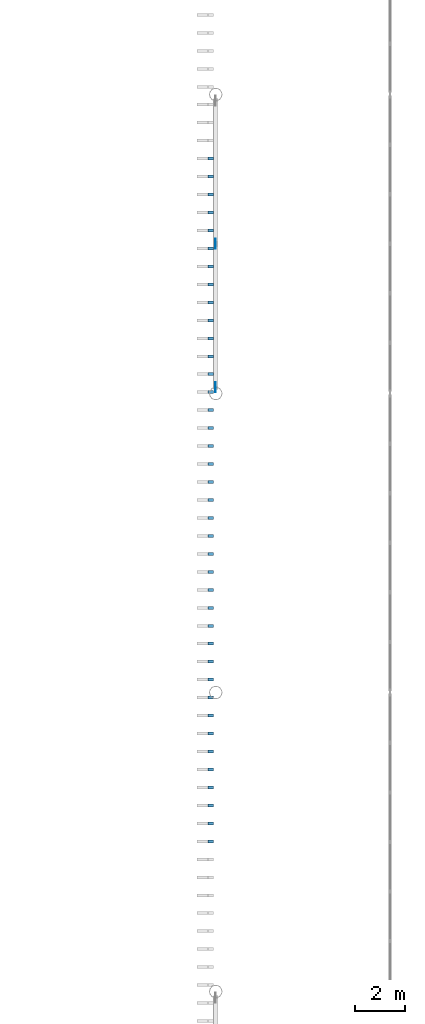
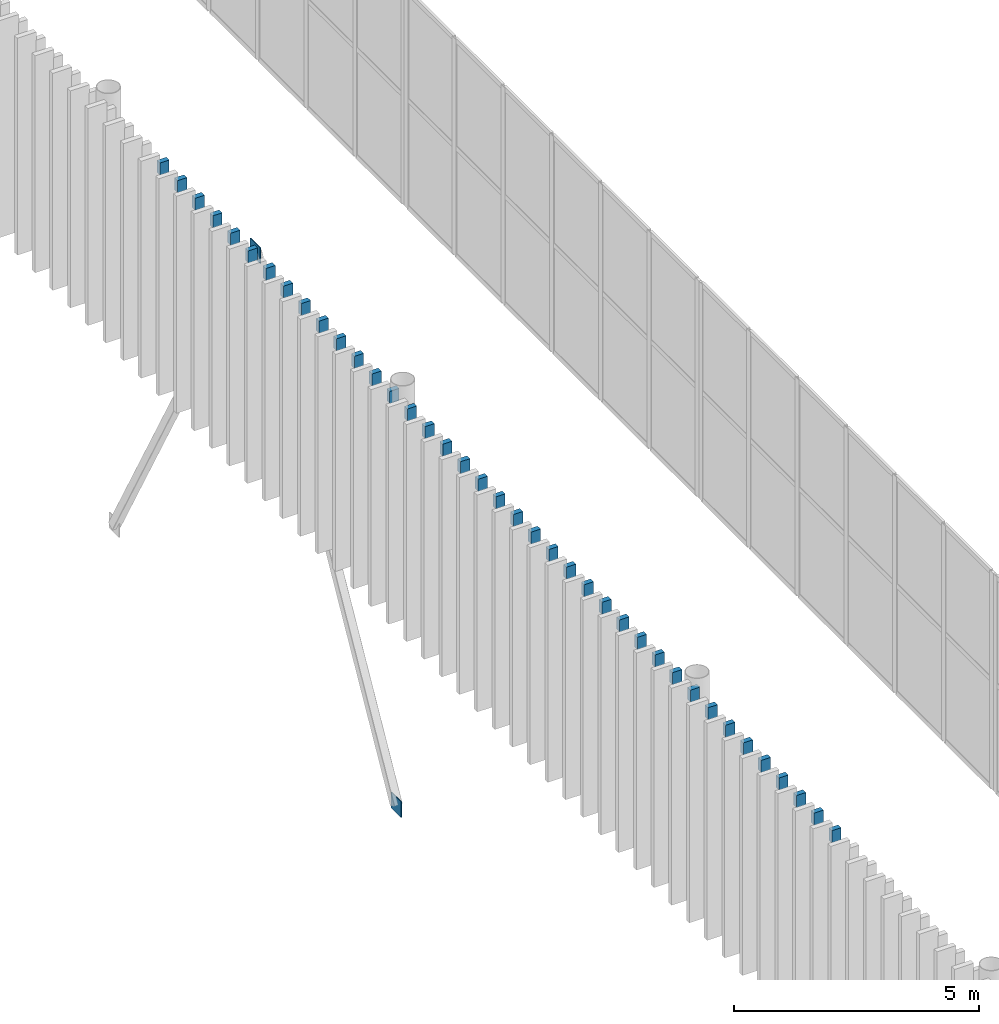
# One storey, part 128 of 170: 41 discrete accessories.
"""IFC4 building model written with IfcOpenShell, lengths in metres."""

from ifc_helpers import new_model, si_unit, direction, frame, origin, origin_2d, place, context, subcontext, project, spatial, rectangle, extrude, material, material_profile, profile_set, type_object, element, save


model = new_model("IFC4")

# Units and contexts
model_context = context("Model", 3, precision=1e-05, world=origin(), true_north=direction((0.0, 1.0)))
body_context = subcontext(model_context, "Body", "Model", "MODEL_VIEW")
ifc_project = project(units=[si_unit("LENGTHUNIT", "METRE"), si_unit("AREAUNIT", "SQUARE_METRE"), si_unit("VOLUMEUNIT", "CUBIC_METRE"), si_unit("PLANEANGLEUNIT", "RADIAN"), si_unit("MASSUNIT", "GRAM", prefix="KILO")], contexts=[model_context])

# Site, building, storey
site_placement = place(None, origin())
site = spatial("IfcSite", under=ifc_project, at=site_placement, CompositionType="ELEMENT")
building_placement = place(site_placement, origin())
building = spatial("IfcBuilding", under=site, at=building_placement, Name="Ravi Spectrum Wholesale Market", CompositionType="ELEMENT")
storey_placement = place(building_placement, frame((0.0, 0.0, 5.39990234375)))
storey = spatial("IfcBuildingStorey", under=building, at=storey_placement, Name="L01", CompositionType="ELEMENT", Elevation=5.39990234375)

# Discrete accessories
ifc_material_1 = material(Name="Steel S355", Category="steel")
discrete_accessory_type_1 = type_object("IfcDiscreteAccessoryType", Name="Fin bracket 120", PredefinedType="BRACKET", material=ifc_material_1)
for number, where, z_axis, x_axis, name in (
    (1, (29.800048828125, 75.4248046875, 4.89990234375), (0.0, 0.0, 1.0), (0.0, -1.0, 0.0), "Fin bracket B171"),
    (2, (29.800048828125, 74.703857421875, 4.89990234375), (0.0, 0.0, 1.0), (0.0, -1.0, 0.0), "Fin bracket B172"),
    (3, (29.800048828125, 73.98291015625, 4.89990234375), (0.0, 0.0, 1.0), (0.0, -1.0, 0.0), "Fin bracket B173"),
    (4, (29.800048828125, 73.26171875, 4.89990234375), (0.0, 0.0, 1.0), (0.0, -1.0, 0.0), "Fin bracket B174"),
    (5, (29.800048828125, 72.540771484375, 4.89990234375), (0.0, 0.0, 1.0), (0.0, -1.0, 0.0), "Fin bracket B175"),
    (6, (29.800048828125, 71.81982421875, 4.89990234375), (0.0, 0.0, 1.0), (0.0, -1.0, 0.0), "Fin bracket B176"),
    (7, (29.800048828125, 71.0986328125, 4.89990234375), (0.0, 0.0, 1.0), (0.0, -1.0, 0.0), "Fin bracket B177"),
    (8, (29.800048828125, 70.377685546875, 4.89990234375), (0.0, 0.0, 1.0), (0.0, -1.0, 0.0), "Fin bracket B178"),
    (9, (29.800048828125, 69.65673828125, 4.89990234375), (0.0, 0.0, 1.0), (0.0, -1.0, 0.0), "Fin bracket B179"),
    (10, (29.800048828125, 68.935546875, 4.89990234375), (0.0, 0.0, 1.0), (0.0, -1.0, 0.0), "Fin bracket B180"),
    (11, (29.800048828125, 68.214599609375, 4.89990234375), (0.0, 0.0, 1.0), (0.0, -1.0, 0.0), "Fin bracket B181"),
    (12, (29.800048828125, 67.49365234375, 4.89990234375), (0.0, 0.0, 1.0), (0.0, -1.0, 0.0), "Fin bracket B182"),
    (13, (29.800048828125, 66.7724609375, 4.89990234375), (0.0, 0.0, 1.0), (0.0, -1.0, 0.0), "Fin bracket B183"),
    (14, (29.800048828125, 66.051513671875, 4.89990234375), (0.0, 0.0, 1.0), (0.0, -1.0, 0.0), "Fin bracket B184"),
    (15, (29.800048828125, 65.33056640625, 4.89990234375), (0.0, 0.0, 1.0), (0.0, -1.0, 0.0), "Fin bracket B185"),
    (16, (29.800048828125, 64.609375, 4.89990234375), (0.0, 0.0, 1.0), (0.0, -1.0, 0.0), "Fin bracket B186"),
    (17, (29.800048828125, 63.888427734375, 4.89990234375), (0.0, 0.0, 1.0), (0.0, -1.0, 0.0), "Fin bracket B187"),
    (18, (29.800048828125, 63.16748046875, 4.89990234375), (0.0, 0.0, 1.0), (0.0, -1.0, 0.0), "Fin bracket B188"),
    (19, (29.800048828125, 62.4462890625, 4.89990234375), (0.0, 0.0, 1.0), (0.0, -1.0, 0.0), "Fin bracket B189"),
    (20, (29.800048828125, 61.725341796875, 4.89990234375), (0.0, 0.0, 1.0), (0.0, -1.0, 0.0), "Fin bracket B190"),
    (21, (29.800048828125, 61.00439453125, 4.89990234375), (0.0, 0.0, 1.0), (0.0, -1.0, 0.0), "Fin bracket B191"),
    (22, (29.800048828125, 60.283203125, 4.89990234375), (0.0, 0.0, 1.0), (0.0, -1.0, 0.0), "Fin bracket B192"),
    (23, (29.800048828125, 59.562255859375, 4.89990234375), (0.0, 0.0, 1.0), (0.0, -1.0, 0.0), "Fin bracket B193"),
    (24, (29.800048828125, 58.84130859375, 4.89990234375), (0.0, 0.0, 1.0), (0.0, -1.0, 0.0), "Fin bracket B194"),
    (25, (29.800048828125, 58.1201171875, 4.89990234375), (0.0, 0.0, 1.0), (0.0, -1.0, 0.0), "Fin bracket B195"),
    (26, (29.800048828125, 57.399169921875, 4.89990234375), (0.0, 0.0, 1.0), (0.0, -1.0, 0.0), "Fin bracket B196"),
    (27, (29.800048828125, 56.67822265625, 4.89990234375), (0.0, 0.0, 1.0), (0.0, -1.0, 0.0), "Fin bracket B197"),
    (28, (29.800048828125, 55.95703125, 4.89990234375), (0.0, 0.0, 1.0), (0.0, -1.0, 0.0), "Fin bracket B198"),
    (29, (29.800048828125, 55.236083984375, 4.89990234375), (0.0, 0.0, 1.0), (0.0, -1.0, 0.0), "Fin bracket B199"),
    (30, (29.800048828125, 54.51513671875, 4.89990234375), (0.0, 0.0, 1.0), (0.0, -1.0, 0.0), "Fin bracket B200"),
    (31, (29.800048828125, 53.7939453125, 4.89990234375), (0.0, 0.0, 1.0), (0.0, -1.0, 0.0), "Fin bracket B201"),
    (32, (29.800048828125, 53.072998046875, 4.89990234375), (0.0, 0.0, 1.0), (0.0, -1.0, 0.0), "Fin bracket B202"),
    (33, (29.800048828125, 52.35205078125, 4.89990234375), (0.0, 0.0, 1.0), (0.0, -1.0, 0.0), "Fin bracket B203"),
    (34, (29.800048828125, 51.630859375, 4.89990234375), (0.0, 0.0, 1.0), (0.0, -1.0, 0.0), "Fin bracket B204"),
    (35, (29.800048828125, 50.909912109375, 4.89990234375), (0.0, 0.0, 1.0), (0.0, -1.0, 0.0), "Fin bracket B205"),
    (36, (29.800048828125, 50.188720703125, 4.89990234375), (0.0, 0.0, 1.0), (0.0, -1.0, 0.0), "Fin bracket B206"),
    (37, (29.800048828125, 49.4677734375, 4.89990234375), (0.0, 0.0, 1.0), (0.0, -1.0, 0.0), "Fin bracket B207"),
    (38, (29.800048828125, 48.746826171875, 4.89990234375), (0.0, 0.0, 1.0), (0.0, -1.0, 0.0), "Fin bracket B208"),
    (39, (29.800048828125, 48.025634765625, 4.89990234375), (0.0, 0.0, 1.0), (0.0, -1.0, 0.0), "Fin bracket B209"),
):
    element("IfcDiscreteAccessory", number, at=place(storey_placement, frame(where, z_axis=z_axis, x_axis=x_axis)), inside=storey, type_object=discrete_accessory_type_1, Name=name, PredefinedType="BRACKET", context=body_context, shape_type="SweptSolid", body=[
        extrude(rectangle(XDim=0.1201171875, YDim=0.219970703125, at=origin_2d()), origin(), (0.0, 0.0, 1.0), 0.300048828125),
    ])
ifc_material_2 = material(Name="Steel S355", Category="steel")
ifc_material_profile = material_profile(ifc_material_2, rectangle(XDim=0.39990234375, YDim=0.02001953125, at=origin_2d()))
ifc_profile_set = profile_set([ifc_material_profile], Name="Steel S355")
discrete_accessory_type_2 = type_object("IfcDiscreteAccessoryType", Name="Gusset plate 400x400x20", PredefinedType="BRACKET", material=ifc_profile_set)
discrete_accessory_1_placement = place(storey_placement, frame((30.0, 66.25390625, -5.55078125), z_axis=(0.0, 0.0, 1.0), x_axis=(0.0, 1.0, 0.0)))
element("IfcDiscreteAccessory", 40, at=discrete_accessory_1_placement, inside=storey, type_object=discrete_accessory_type_2, Name="Gusset plate", PredefinedType="BRACKET", context=body_context, shape_type="SweptSolid", body=[
    extrude(rectangle(XDim=0.39990234375, YDim=0.02001953125, at=origin_2d()), origin(), (0.0, 0.0, 1.0), 0.39990234375),
])
discrete_accessory_2_placement = place(storey_placement, frame((30.0, 72.0, 4.75), z_axis=(0.0, 0.0, 1.0), x_axis=(0.0, 1.0, 0.0)))
element("IfcDiscreteAccessory", 41, at=discrete_accessory_2_placement, inside=storey, type_object=discrete_accessory_type_2, Name="Gusset plate", PredefinedType="BRACKET", context=body_context, shape_type="SweptSolid", body=[
    extrude(rectangle(XDim=0.39990234375, YDim=0.02001953125, at=origin_2d()), origin(), (0.0, 0.0, 1.0), 0.400146484375),
])

save(model, "model.ifc")
